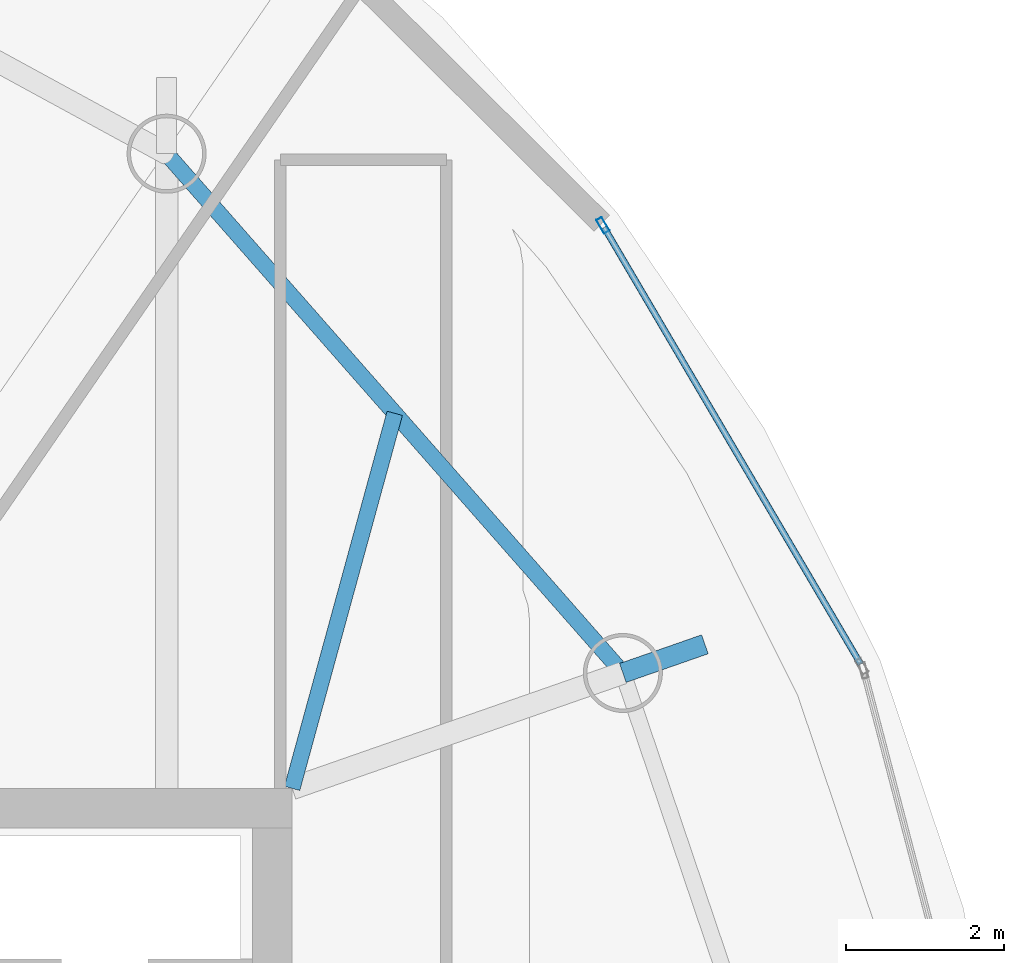
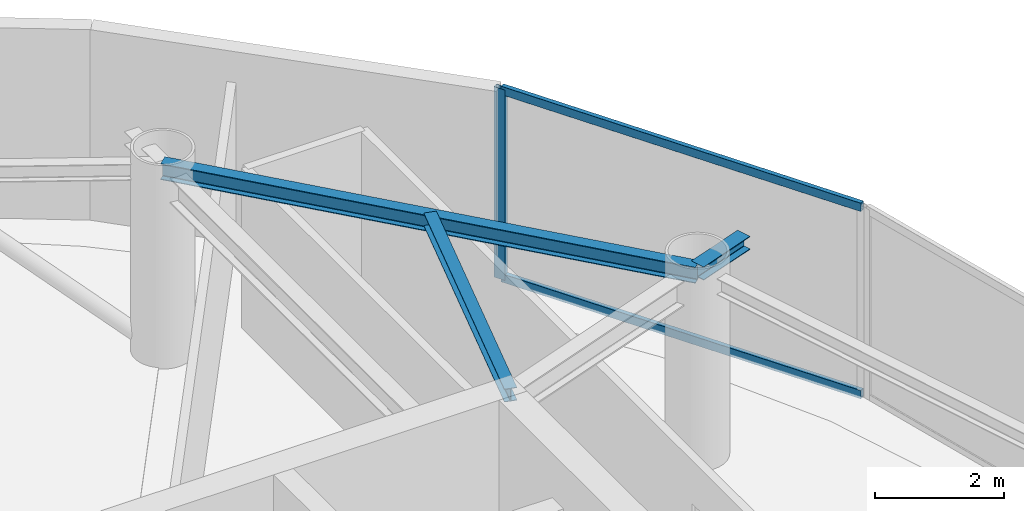
# One storey, part 13 of 20: 3 beams, 3 members, 1 element without a shape of its own.
"""IFC4 building model written with IfcOpenShell, lengths in metres."""

from ifc_helpers import new_model, si_unit, direction, frame, origin, origin_2d, place, context, subcontext, project, spatial, hollow_rectangle, i_section, extrude, material, layer, layer_set, material_profile, profile_set, type_object, element, aggregate, save


model = new_model("IFC4")

# Units and contexts
model_context = context("Model", 3, precision=1e-05, world=origin(), true_north=direction((0.0, 1.0)))
body_context = subcontext(model_context, "Body", "Model", "MODEL_VIEW")
ifc_project = project(units=[si_unit("LENGTHUNIT", "METRE"), si_unit("AREAUNIT", "SQUARE_METRE"), si_unit("VOLUMEUNIT", "CUBIC_METRE"), si_unit("PLANEANGLEUNIT", "RADIAN"), si_unit("MASSUNIT", "GRAM", prefix="KILO")], contexts=[model_context])

# Site, building, storey
site_placement = place(None, origin())
site = spatial("IfcSite", under=ifc_project, at=site_placement, CompositionType="ELEMENT")
building_placement = place(site_placement, origin())
building = spatial("IfcBuilding", under=site, at=building_placement, Name="Bramvorn Convention Spire", CompositionType="ELEMENT")
storey_placement = place(building_placement, frame((0.0, 0.0, 303.64990234375)))
storey = spatial("IfcBuildingStorey", under=building, at=storey_placement, Name="L77", CompositionType="ELEMENT", Elevation=303.64990234375)

# Beams
ifc_material_1 = material(Name="Steel CSA G40.21 Grade 350 (350W)", Category="steel")
ifc_material_profile_1 = material_profile(ifc_material_1, i_section(OverallWidth=0.201904296875, OverallDepth=0.2470703125, WebThickness=0.00732421875, FlangeThickness=0.010986328125, FilletRadius=0.011962890625, at=origin_2d()))
ifc_profile_set_1 = profile_set([ifc_material_profile_1], Name="Steel CSA G40.21 Grade 350 (350W) - W250X49")
beam_type_1 = type_object("IfcBeamType", Name="BM-W250X49", PredefinedType="JOIST", material=ifc_profile_set_1)
beam_1_placement = place(storey_placement, frame((49.25, 33.449951171875, 3.4765625), z_axis=(0.26386506219, 0.96455960363, 0.0), x_axis=(-0.96455960363, 0.26386506219, 0.0)))
element("IfcBeam", 1, at=beam_1_placement, inside=storey, type_object=beam_type_1, Name="L77 composite floor joist 05", PredefinedType="JOIST", context=body_context, shape_type="SweptSolid", body=[
    extrude(i_section(OverallWidth=0.201904296875, OverallDepth=0.2470703125, WebThickness=0.00732421875, FlangeThickness=0.010986328125, FilletRadius=0.011962890625, at=origin_2d()), origin(), (0.0, 0.0, 1.0), 4.917724609375),
])
ifc_material_profile_2 = material_profile(ifc_material_1, i_section(OverallWidth=0.25390625, OverallDepth=0.2529296875, WebThickness=0.008544921875, FlangeThickness=0.01416015625, FilletRadius=0.011962890625, at=origin_2d()))
ifc_profile_set_2 = profile_set([ifc_material_profile_2], Name="Steel CSA G40.21 Grade 350 (350W) - W250X73")
beam_type_2 = type_object("IfcBeamType", Name="BM-W250X73", PredefinedType="BEAM", material=ifc_profile_set_2)
beam_2_placement = place(storey_placement, frame((53.4326171875, 34.909912109375, 3.4736328125), z_axis=(0.944100528137, 0.329657690295, 0.0), x_axis=(-0.329657690295, 0.944100528137, 0.0)))
element("IfcBeam", 2, at=beam_2_placement, inside=storey, type_object=beam_type_2, Name="L77 slab-edge cantilever tip beam MC05", PredefinedType="BEAM", context=body_context, shape_type="SweptSolid", body=[
    extrude(i_section(OverallWidth=0.25390625, OverallDepth=0.2529296875, WebThickness=0.008544921875, FlangeThickness=0.01416015625, FilletRadius=0.011962890625, at=origin_2d()), origin(), (0.0, 0.0, 1.0), 1.09912109375),
])
ifc_material_profile_3 = material_profile(ifc_material_1, i_section(OverallWidth=0.202880859375, OverallDepth=0.302978515625, WebThickness=0.007568359375, FlangeThickness=0.01318359375, FilletRadius=0.013916015625, at=origin_2d()))
ifc_profile_set_3 = profile_set([ifc_material_profile_3], Name="Steel CSA G40.21 Grade 350 (350W) - W310X60")
beam_type_3 = type_object("IfcBeamType", Name="BM-W310X60", PredefinedType="JOIST", material=ifc_profile_set_3)
beam_3_placement = place(storey_placement, frame((53.4326171875, 34.909912109375, 3.448486328125), z_axis=(-0.660073062339, 0.751201405999, 0.0), x_axis=(-0.751201405999, -0.660073062339, 0.0)))
element("IfcBeam", 3, at=beam_3_placement, inside=storey, type_object=beam_type_3, Name="L77 mega-column ring beam 05", PredefinedType="JOIST", context=body_context, shape_type="SweptSolid", body=[
    extrude(i_section(OverallWidth=0.202880859375, OverallDepth=0.302978515625, WebThickness=0.007568359375, FlangeThickness=0.01318359375, FilletRadius=0.013916015625, at=origin_2d()), origin(), (0.0, 0.0, 1.0), 8.741943359375),
])

# Curtain wall, members
ifc_material_2 = material(Name="Anodised Bronze Unitised Curtain Wall", Category="aluminium")
ifc_layer = layer(ifc_material_2, 0.179931640625)
ifc_layer_set = layer_set([ifc_layer], Name="Anodised Bronze Unitised Curtain Wall - CW-OFF-FRIT")
curtain_wall_type = type_object("IfcCurtainWallType", Name="CW-OFF-FRIT", PredefinedType="USERDEFINED", material=ifc_layer_set)
curtain_wall_placement = place(storey_placement, origin())
curtain_wall = element("IfcCurtainWall", 4, at=curtain_wall_placement, inside=storey, type_object=curtain_wall_type, Name="L77 fritted glass curtain wall 07", ObjectType="UNITISED CURTAIN WALL", PredefinedType="USERDEFINED")
ifc_material_3 = material(Name="Anodised Bronze Aluminium 6063-T6", Category="aluminium")
ifc_material_profile_4 = material_profile(ifc_material_3, hollow_rectangle(XDim=0.080078125, YDim=0.199951171875, WallThickness=0.00390625, InnerFilletRadius=0.0009765625, OuterFilletRadius=0.00390625, at=origin_2d()))
ifc_profile_set_4 = profile_set([ifc_material_profile_4], Name="Anodised Bronze Aluminium 6063-T6 - CWM80X200")
member_type_1 = type_object("IfcMemberType", Name="CW-MUL-180", PredefinedType="MULLION", material=ifc_profile_set_4)
member_1_placement = place(storey_placement, frame((53.18017578125, 40.571044921875, 0.0), z_axis=(0.0, 0.0, 1.0), x_axis=(0.862240086013, 0.506499786844, 0.0)))
member_1 = element("IfcMember", 5, at=member_1_placement, type_object=member_type_1, Name="CW3 mullion 1", PredefinedType="MULLION", context=body_context, shape_type="SweptSolid", body=[
    extrude(hollow_rectangle(XDim=0.080078125, YDim=0.199951171875, WallThickness=0.00390625, InnerFilletRadius=0.0009765625, OuterFilletRadius=0.00390625, at=origin_2d()), origin(), (0.0, 0.0, 1.0), 3.60009765625),
])
ifc_material_profile_5 = material_profile(ifc_material_3, hollow_rectangle(XDim=0.080078125, YDim=0.159912109375, WallThickness=0.00390625, InnerFilletRadius=0.0009765625, OuterFilletRadius=0.00390625, at=origin_2d()))
ifc_profile_set_5 = profile_set([ifc_material_profile_5], Name="Anodised Bronze Aluminium 6063-T6 - CWT80X160")
member_type_2 = type_object("IfcMemberType", Name="CW-TRN-150", PredefinedType="USERDEFINED", material=ifc_profile_set_5)
member_2_placement = place(storey_placement, frame((53.195556640625, 40.545166015625, 0.030029296875), z_axis=(0.506510450385, -0.862233821913, 0.0), x_axis=(0.862233821913, 0.506510450385, 0.0)))
member_2 = element("IfcMember", 6, at=member_2_placement, type_object=member_type_2, Name="CW3 transom 1.1", ObjectType="TRANSOM", PredefinedType="USERDEFINED", context=body_context, shape_type="SweptSolid", body=[
    extrude(hollow_rectangle(XDim=0.080078125, YDim=0.159912109375, WallThickness=0.00390625, InnerFilletRadius=0.0009765625, OuterFilletRadius=0.00390625, at=origin_2d()), origin(), (0.0, 0.0, 1.0), 6.40673828125),
])
member_3_placement = place(storey_placement, frame((53.195556640625, 40.545166015625, 3.570068359375), z_axis=(0.506510450385, -0.862233821913, 0.0), x_axis=(0.862233821913, 0.506510450385, 0.0)))
member_3 = element("IfcMember", 7, at=member_3_placement, type_object=member_type_2, Name="CW3 transom 1.2", ObjectType="TRANSOM", PredefinedType="USERDEFINED", context=body_context, shape_type="SweptSolid", body=[
    extrude(hollow_rectangle(XDim=0.080078125, YDim=0.159912109375, WallThickness=0.00390625, InnerFilletRadius=0.0009765625, OuterFilletRadius=0.00390625, at=origin_2d()), origin(), (0.0, 0.0, 1.0), 6.40673828125),
])
aggregate(curtain_wall, [member_1, member_2, member_3])

save(model, "model.ifc")
